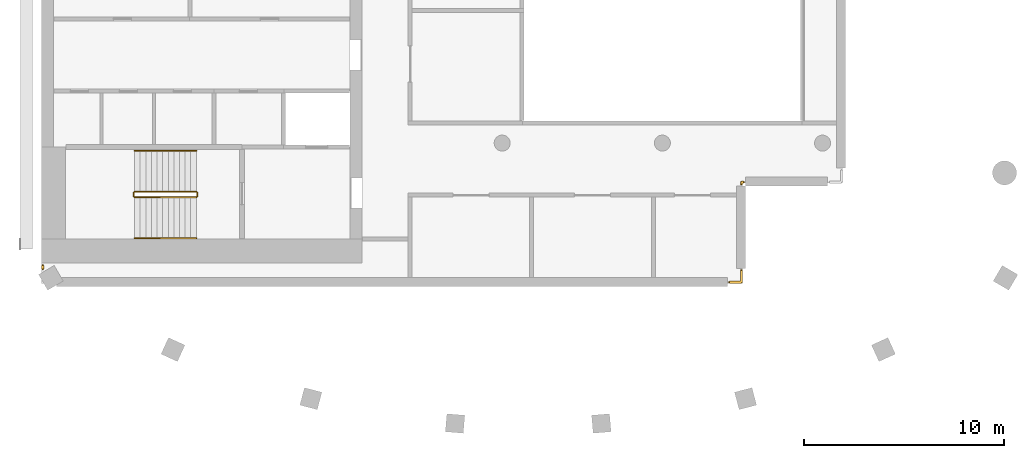
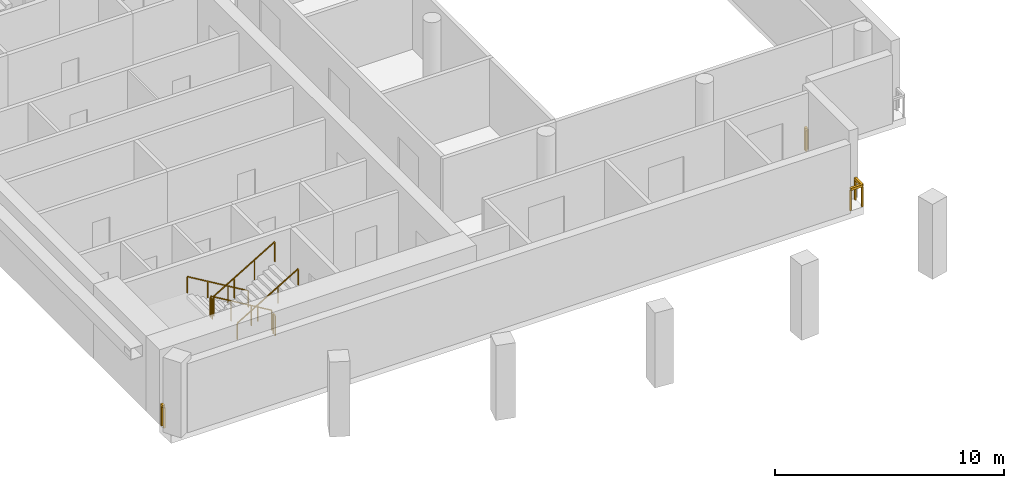
# One storey, part 6 of 9: 9 railings.
"""IFC4 building model written with IfcOpenShell, lengths in metres."""

from ifc_helpers import new_model, si_unit, direction, frame, origin, origin_2d, place, context, subcontext, project, spatial, rectangle, extrude, material, type_object, element, save


model = new_model("IFC4")

# Units and contexts
model_context = context("Model", 3, precision=1e-05, world=origin(), true_north=direction((0.0, 1.0)))
body_context = subcontext(model_context, "Body", "Model", "MODEL_VIEW")
ifc_project = project(units=[si_unit("LENGTHUNIT", "METRE"), si_unit("AREAUNIT", "SQUARE_METRE"), si_unit("VOLUMEUNIT", "CUBIC_METRE"), si_unit("PLANEANGLEUNIT", "RADIAN"), si_unit("MASSUNIT", "GRAM", prefix="KILO")], contexts=[model_context])

# Site, building, storey
site_placement = place(None, origin())
site = spatial("IfcSite", under=ifc_project, at=site_placement, CompositionType="ELEMENT")
building_placement = place(site_placement, origin())
building = spatial("IfcBuilding", under=site, at=building_placement, Name="Cypress Arch Tower", CompositionType="ELEMENT")
storey_placement = place(building_placement, frame((0.0, 0.0, 335.0)))
storey = spatial("IfcBuildingStorey", under=building, at=storey_placement, Name="L76", CompositionType="ELEMENT", Elevation=335.0)

# Railings
ifc_material_1 = material(Name="Stainless steel posts and handrail, laminated glass infill", Category="steel")
railing_type_1 = type_object("IfcRailingType", Name="Deck guard GR1200D", PredefinedType="GUARDRAIL", material=ifc_material_1)
railing_1_placement = place(storey_placement, frame((-29.949951171875, -16.295654296875, 0.0)))
element("IfcRailing", 1, at=railing_1_placement, inside=storey, type_object=railing_type_1, Name="Crown edge guard L76 1", PredefinedType="GUARDRAIL", context=body_context, shape_type="SweptSolid", body=[
    extrude(rectangle(XDim=0.1201171875, YDim=0.1201171875, at=origin_2d()), frame((0.0, 0.0, 1.139892578125), z_axis=(0.0, 1.0, 0.0), x_axis=(-1.0, 0.0, 0.0)), (0.0, 0.0, 1.0), 0.195556640625),
    extrude(rectangle(XDim=0.080078125, YDim=0.080078125, at=origin_2d()), origin(), (0.0, 0.0, 1.0), 1.079833984375),
    extrude(rectangle(XDim=0.080078125, YDim=0.080078125, at=origin_2d()), frame((0.0, 0.195556640625, 0.0)), (0.0, 0.0, 1.0), 1.079833984375),
])
railing_2_placement = place(storey_placement, frame((4.949951171875, -16.35009765625, 0.0)))
element("IfcRailing", 2, at=railing_2_placement, inside=storey, type_object=railing_type_1, Name="Crown edge guard L76 4", PredefinedType="GUARDRAIL", context=body_context, shape_type="SweptSolid", body=[
    extrude(rectangle(XDim=0.1201171875, YDim=0.1201171875, at=origin_2d()), frame((0.0, 0.0, 1.139892578125), z_axis=(0.0, -1.0, 0.0), x_axis=(1.0, 0.0, 0.0)), (0.0, 0.0, 1.0), 0.599853515625),
    extrude(rectangle(XDim=0.1201171875, YDim=0.1201171875, at=origin_2d()), frame((0.0, -0.599853515625, 1.139892578125), z_axis=(-1.0, 0.0, 0.0), x_axis=(0.0, -1.0, 0.0)), (0.0, 0.0, 1.0), 0.599853515625),
    extrude(rectangle(XDim=0.080078125, YDim=0.080078125, at=origin_2d()), origin(), (0.0, 0.0, 1.0), 1.079833984375),
    extrude(rectangle(XDim=0.080078125, YDim=0.080078125, at=origin_2d()), frame((0.0, -0.599853515625, 0.0)), (0.0, 0.0, 1.0), 1.079833984375),
    extrude(rectangle(XDim=0.080078125, YDim=0.080078125, at=origin_2d()), frame((-0.599853515625, -0.599853515625, 0.0)), (0.0, 0.0, 1.0), 1.079833984375),
])
railing_3_placement = place(storey_placement, frame((5.050048828125, -11.949951171875, 0.0)))
element("IfcRailing", 3, at=railing_3_placement, inside=storey, type_object=railing_type_1, Name="Crown edge guard L76 5", PredefinedType="GUARDRAIL", context=body_context, shape_type="SweptSolid", body=[
    extrude(rectangle(XDim=0.1201171875, YDim=0.1201171875, at=origin_2d()), frame((0.0, 0.0, 1.139892578125), z_axis=(-1.0, 0.0, 0.0), x_axis=(0.0, -1.0, 0.0)), (0.0, 0.0, 1.0), 0.10009765625),
    extrude(rectangle(XDim=0.1201171875, YDim=0.1201171875, at=origin_2d()), frame((-0.10009765625, 0.0, 1.139892578125), z_axis=(0.0, -1.0, 0.0), x_axis=(1.0, 0.0, 0.0)), (0.0, 0.0, 1.0), 0.10009765625),
    extrude(rectangle(XDim=0.080078125, YDim=0.080078125, at=origin_2d()), origin(), (0.0, 0.0, 1.0), 1.079833984375),
    extrude(rectangle(XDim=0.080078125, YDim=0.080078125, at=origin_2d()), frame((-0.10009765625, 0.0, 0.0)), (0.0, 0.0, 1.0), 1.079833984375),
    extrude(rectangle(XDim=0.080078125, YDim=0.080078125, at=origin_2d()), frame((-0.10009765625, -0.10009765625, 0.0)), (0.0, 0.0, 1.0), 1.079833984375),
])
ifc_material_2 = material(Name="Black powder-coated steel square bar 48 mm", Category="steel")
railing_type_2 = type_object("IfcRailingType", Name="Stair handrail HR1", PredefinedType="HANDRAIL", material=ifc_material_2)
railing_4_placement = place(storey_placement, frame((-22.27490234375, -10.375, 0.166748046875)))
element("IfcRailing", 4, at=railing_4_placement, inside=storey, type_object=railing_type_2, Name="L76 A stair handrail 1", PredefinedType="HANDRAIL", context=body_context, shape_type="SweptSolid", body=[
    extrude(rectangle(XDim=0.048095703125, YDim=0.048095703125, at=origin_2d()), frame((0.0, 0.0, 0.8759765625), z_axis=(-0.859308565015, 0.0, 0.511457515432), x_axis=(0.0, -1.0, 0.0)), (0.0, 0.0, 1.0), 3.58447265625),
    extrude(rectangle(XDim=0.0419921875, YDim=0.0419921875, at=origin_2d()), origin(), (0.0, 0.0, 1.0), 0.851806640625),
    extrude(rectangle(XDim=0.0419921875, YDim=0.0419921875, at=origin_2d()), frame((-1.026611328125, 0.0, 0.611083984375)), (0.0, 0.0, 1.0), 0.851806640625),
    extrude(rectangle(XDim=0.0419921875, YDim=0.0419921875, at=origin_2d()), frame((-2.053466796875, 0.0, 1.22216796875)), (0.0, 0.0, 1.0), 0.851806640625),
    extrude(rectangle(XDim=0.0419921875, YDim=0.0419921875, at=origin_2d()), frame((-3.080078125, 0.0, 1.833251953125)), (0.0, 0.0, 1.0), 0.851806640625),
])
railing_5_placement = place(storey_placement, frame((-25.35498046875, -14.75, 2.166748046875)))
element("IfcRailing", 5, at=railing_5_placement, inside=storey, type_object=railing_type_2, Name="L76 A stair handrail 2", PredefinedType="HANDRAIL", context=body_context, shape_type="SweptSolid", body=[
    extrude(rectangle(XDim=0.048095703125, YDim=0.048095703125, at=origin_2d()), frame((0.0, 0.0, 0.8759765625), z_axis=(0.859308565015, 0.0, 0.511457515432), x_axis=(0.0, 1.0, 0.0)), (0.0, 0.0, 1.0), 3.58447265625),
    extrude(rectangle(XDim=0.0419921875, YDim=0.0419921875, at=origin_2d()), origin(), (0.0, 0.0, 1.0), 0.851806640625),
    extrude(rectangle(XDim=0.0419921875, YDim=0.0419921875, at=origin_2d()), frame((1.026611328125, 0.0, 0.611083984375)), (0.0, 0.0, 1.0), 0.851806640625),
    extrude(rectangle(XDim=0.0419921875, YDim=0.0419921875, at=origin_2d()), frame((2.053466796875, 0.0, 1.22216796875)), (0.0, 0.0, 1.0), 0.851806640625),
    extrude(rectangle(XDim=0.0419921875, YDim=0.0419921875, at=origin_2d()), frame((3.080078125, 0.0, 1.833251953125)), (0.0, 0.0, 1.0), 0.851806640625),
])
ifc_material_3 = material(Name="Black powder-coated steel balusters", Category="steel")
railing_type_3 = type_object("IfcRailingType", Name="Stair well guard G1", PredefinedType="GUARDRAIL", material=ifc_material_3)
railing_6_placement = place(storey_placement, frame((-22.27490234375, -12.425048828125, 0.166748046875)))
element("IfcRailing", 6, at=railing_6_placement, inside=storey, type_object=railing_type_3, Name="L76 A stair guard 1", PredefinedType="GUARDRAIL", context=body_context, shape_type="SweptSolid", body=[
    extrude(rectangle(XDim=0.048095703125, YDim=0.048095703125, at=origin_2d()), frame((0.0, 0.0, 1.076171875), z_axis=(-0.859308565015, 0.0, 0.511457515432), x_axis=(0.0, -1.0, 0.0)), (0.0, 0.0, 1.0), 3.58447265625),
    extrude(rectangle(XDim=0.0419921875, YDim=0.0419921875, at=origin_2d()), origin(), (0.0, 0.0, 1.0), 1.052001953125),
    extrude(rectangle(XDim=0.0419921875, YDim=0.0419921875, at=origin_2d()), frame((-1.026611328125, 0.0, 0.611083984375)), (0.0, 0.0, 1.0), 1.052001953125),
    extrude(rectangle(XDim=0.0419921875, YDim=0.0419921875, at=origin_2d()), frame((-2.053466796875, 0.0, 1.22216796875)), (0.0, 0.0, 1.0), 1.052001953125),
    extrude(rectangle(XDim=0.0419921875, YDim=0.0419921875, at=origin_2d()), frame((-3.080078125, 0.0, 1.833251953125)), (0.0, 0.0, 1.0), 1.052001953125),
])
railing_7_placement = place(storey_placement, frame((-25.405029296875, -12.47509765625, 2.0)))
element("IfcRailing", 7, at=railing_7_placement, inside=storey, type_object=railing_type_3, Name="L76 A stair guard 2", PredefinedType="GUARDRAIL", context=body_context, shape_type="SweptSolid", body=[
    extrude(rectangle(XDim=0.048095703125, YDim=0.048095703125, at=origin_2d()), frame((0.0, 0.0, 1.076171875), z_axis=(0.0, -1.0, 0.0), x_axis=(1.0, 0.0, 0.0)), (0.0, 0.0, 1.0), 0.1748046875),
    extrude(rectangle(XDim=0.0419921875, YDim=0.0419921875, at=origin_2d()), origin(), (0.0, 0.0, 1.0), 1.052001953125),
    extrude(rectangle(XDim=0.0419921875, YDim=0.0419921875, at=origin_2d()), frame((0.0, -0.1748046875, 0.0)), (0.0, 0.0, 1.0), 1.052001953125),
])
railing_8_placement = place(storey_placement, frame((-25.35498046875, -12.699951171875, 2.166748046875)))
element("IfcRailing", 8, at=railing_8_placement, inside=storey, type_object=railing_type_3, Name="L76 A stair guard 3", PredefinedType="GUARDRAIL", context=body_context, shape_type="SweptSolid", body=[
    extrude(rectangle(XDim=0.048095703125, YDim=0.048095703125, at=origin_2d()), frame((0.0, 0.0, 1.076171875), z_axis=(0.859308565015, 0.0, 0.511457515432), x_axis=(0.0, 1.0, 0.0)), (0.0, 0.0, 1.0), 3.58447265625),
    extrude(rectangle(XDim=0.0419921875, YDim=0.0419921875, at=origin_2d()), origin(), (0.0, 0.0, 1.0), 1.052001953125),
    extrude(rectangle(XDim=0.0419921875, YDim=0.0419921875, at=origin_2d()), frame((1.026611328125, 0.0, 0.611083984375)), (0.0, 0.0, 1.0), 1.052001953125),
    extrude(rectangle(XDim=0.0419921875, YDim=0.0419921875, at=origin_2d()), frame((2.053466796875, 0.0, 1.22216796875)), (0.0, 0.0, 1.0), 1.052001953125),
    extrude(rectangle(XDim=0.0419921875, YDim=0.0419921875, at=origin_2d()), frame((3.080078125, 0.0, 1.833251953125)), (0.0, 0.0, 1.0), 1.052001953125),
])
railing_9_placement = place(storey_placement, frame((-22.22509765625, -12.47509765625, 0.0)))
element("IfcRailing", 9, at=railing_9_placement, inside=storey, type_object=railing_type_3, Name="L76 A stair guard 4", PredefinedType="GUARDRAIL", context=body_context, shape_type="SweptSolid", body=[
    extrude(rectangle(XDim=0.048095703125, YDim=0.048095703125, at=origin_2d()), frame((0.0, 0.0, 1.076171875), z_axis=(0.0, -1.0, 0.0), x_axis=(1.0, 0.0, 0.0)), (0.0, 0.0, 1.0), 0.1748046875),
    extrude(rectangle(XDim=0.0419921875, YDim=0.0419921875, at=origin_2d()), origin(), (0.0, 0.0, 1.0), 1.052001953125),
    extrude(rectangle(XDim=0.0419921875, YDim=0.0419921875, at=origin_2d()), frame((0.0, -0.1748046875, 0.0)), (0.0, 0.0, 1.0), 1.052001953125),
])

save(model, "model.ifc")
